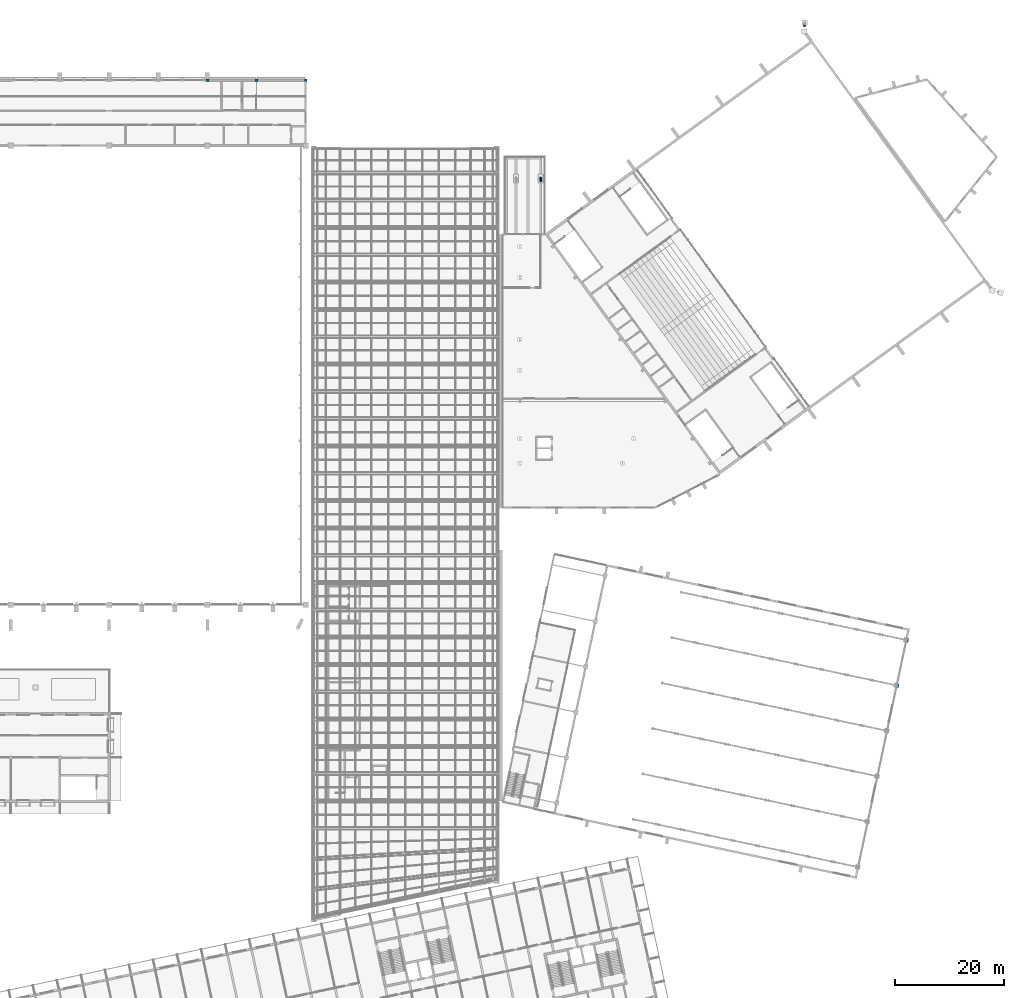
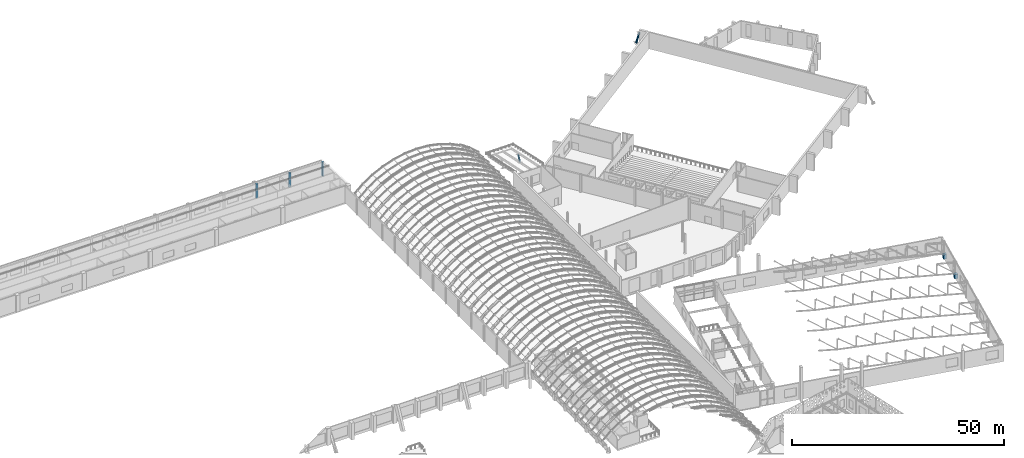
# One storey, part 27 of 182: 7 columns.
"""IFC4 building model written with IfcOpenShell, lengths in metres."""

from ifc_helpers import new_model, si_unit, direction, frame, origin, origin_2d, place, context, subcontext, project, spatial, rectangle, hollow_circle, extrude, material, material_profile, profile_set, type_object, element, save


model = new_model("IFC4")

# Units and contexts
model_context = context("Model", 3, precision=1e-05, world=origin(), true_north=direction((0.0, 1.0)))
body_context = subcontext(model_context, "Body", "Model", "MODEL_VIEW")
ifc_project = project(units=[si_unit("LENGTHUNIT", "METRE"), si_unit("AREAUNIT", "SQUARE_METRE"), si_unit("VOLUMEUNIT", "CUBIC_METRE"), si_unit("PLANEANGLEUNIT", "RADIAN"), si_unit("MASSUNIT", "GRAM", prefix="KILO")], contexts=[model_context])

# Site, building, storey
site_placement = place(None, origin())
site = spatial("IfcSite", under=ifc_project, at=site_placement, CompositionType="ELEMENT")
building_placement = place(site_placement, origin())
building = spatial("IfcBuilding", under=site, at=building_placement, Name="Okhra Congress Centre", CompositionType="ELEMENT")
storey_placement = place(building_placement, frame((0.0, 0.0, 7.199951171875)))
storey = spatial("IfcBuildingStorey", under=building, at=storey_placement, Name="L01", CompositionType="ELEMENT", Elevation=7.199951171875)

# Columns
ifc_material_1 = material(Name="Steel S355J2H", Category="steel")
ifc_material_profile_1 = material_profile(ifc_material_1, hollow_circle(Radius=0.228515625, WallThickness=0.012451171875, at=origin_2d()), Name="CHS 457x12.5")
ifc_profile_set_1 = profile_set([ifc_material_profile_1], Name="Steel S355J2H")
column_type_1 = type_object("IfcColumnType", Name="CHS 457x12.5", PredefinedType="COLUMN", material=ifc_profile_set_1)
column_1_placement = place(storey_placement, frame((197.0, 209.580810546875, 0.0), z_axis=(0.0, 0.390391463217, 0.920648958859), x_axis=(-1.0, 0.0, 0.0)))
element("IfcColumn", 1, at=column_1_placement, inside=storey, type_object=column_type_1, Name="North canopy strut 2 upper", PredefinedType="COLUMN", context=body_context, shape_type="SweptSolid", body=[
    extrude(hollow_circle(Radius=0.228515625, WallThickness=0.012451171875, at=origin_2d()), origin(), (0.0, 0.0, 1.0), 2.09814453125),
])
ifc_material_profile_2 = material_profile(ifc_material_1, hollow_circle(Radius=0.25390625, WallThickness=0.01611328125, at=origin_2d()), Name="CHS 508x16")
ifc_profile_set_2 = profile_set([ifc_material_profile_2], Name="Steel S355J2H")
column_type_2 = type_object("IfcColumnType", Name="CHS 508x16", PredefinedType="COLUMN", material=ifc_profile_set_2)
column_2_placement = place(storey_placement, frame((245.343994140625, 238.523193359375, 0.0), z_axis=(-0.020543036227, -0.387890413135, 0.92147653853), x_axis=(0.99860051339, -0.052886809851, 0.0)))
element("IfcColumn", 2, at=column_2_placement, inside=storey, type_object=column_type_2, Name="Corner prop 2 upper", PredefinedType="COLUMN", context=body_context, shape_type="SweptSolid", body=[
    extrude(hollow_circle(Radius=0.25390625, WallThickness=0.01611328125, at=origin_2d()), origin(), (0.0, 0.0, 1.0), 4.123779296875),
])
ifc_material_2 = material(Name="Concrete C35/45", Category="concrete")
ifc_material_profile_3 = material_profile(ifc_material_2, rectangle(XDim=0.5, YDim=0.5, at=origin_2d()), Name="RC 500x500")
ifc_profile_set_3 = profile_set([ifc_material_profile_3], Name="Concrete C35/45")
column_type_3 = type_object("IfcColumnType", Name="RC column 500x500 C35/45", PredefinedType="COLUMN", material=ifc_profile_set_3)
for number, where, z_axis, x_axis, name in (
    (3, (136.0, 228.0, 0.0), (0.0, 0.0, 1.0), (1.0, 0.0, 0.0), "EH.COL.L01.KC13"),
    (4, (145.0, 228.0, 0.0), (0.0, 0.0, 1.0), (1.0, 0.0, 0.0), "EH.COL.L01.KC14"),
    (5, (154.0, 228.0, 0.0), (0.0, 0.0, 1.0), (1.0, 0.0, 0.0), "EH.COL.L01.KC15"),
):
    element("IfcColumn", number, at=place(storey_placement, frame(where, z_axis=z_axis, x_axis=x_axis)), inside=storey, type_object=column_type_3, Name=name, PredefinedType="COLUMN", context=body_context, shape_type="SweptSolid", body=[
        extrude(rectangle(XDim=0.5, YDim=0.5, at=origin_2d()), origin(), (0.0, 0.0, 1.0), 4.12109375),
    ])
ifc_material_3 = material(Name="Concrete C40/50", Category="concrete")
ifc_material_profile_4 = material_profile(ifc_material_3, rectangle(XDim=0.800048828125, YDim=0.800048828125, at=origin_2d()), Name="RC 800x800")
ifc_profile_set_4 = profile_set([ifc_material_profile_4], Name="Concrete C40/50")
column_type_4 = type_object("IfcColumnType", Name="RC column 800x800 C40/50", PredefinedType="COLUMN", material=ifc_profile_set_4)
for number, where, z_axis, x_axis, name in (
    (6, (262.186279296875, 117.205078125, 0.0), (0.0, 0.0, 1.0), (0.978147600734, -0.207911690818, 0.0), "Hall column E4"),
    (7, (263.953369140625, 125.519287109375, 0.0), (0.0, 0.0, 1.0), (0.978147600734, -0.207911690818, 0.0), "Hall column E5"),
):
    element("IfcColumn", number, at=place(storey_placement, frame(where, z_axis=z_axis, x_axis=x_axis)), inside=storey, type_object=column_type_4, Name=name, PredefinedType="COLUMN", context=body_context, shape_type="SweptSolid", body=[
        extrude(rectangle(XDim=0.800048828125, YDim=0.800048828125, at=origin_2d()), origin(), (0.0, 0.0, 1.0), 1.25),
    ])

save(model, "model.ifc")
